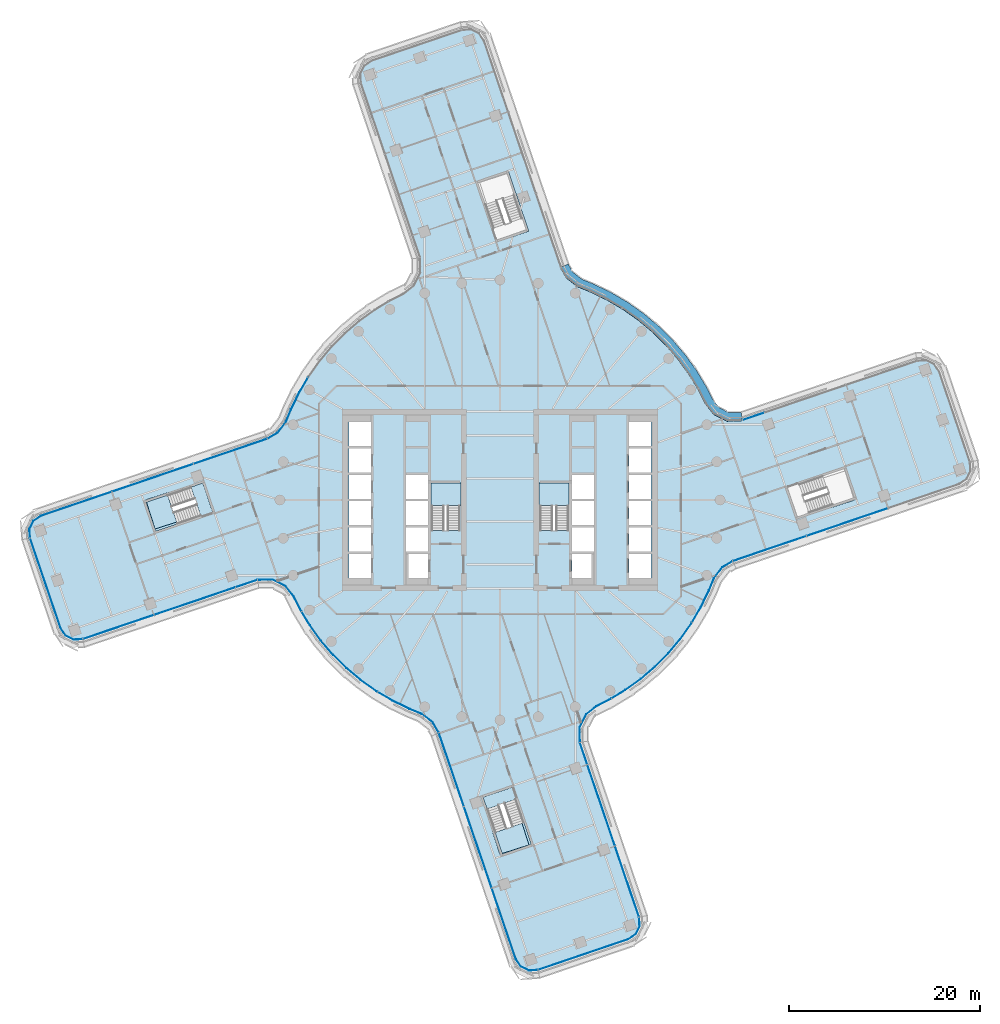
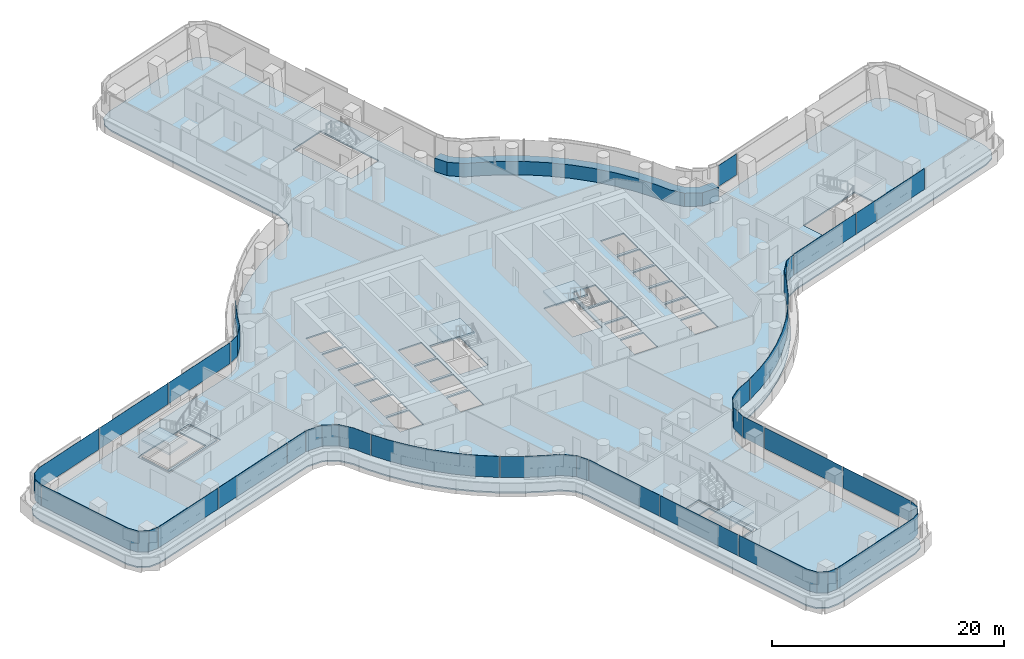
# One storey, part 15 of 29: 24 plates, 7 slabs, 1 member, 16 elements without a shape of their own.
"""IFC4 building model written with IfcOpenShell, lengths in metres."""

from ifc_helpers import new_model, si_unit, direction, frame, origin, place, context, subcontext, project, spatial, polyline, outline, extrude, material, layer, layer_set, type_object, element, aggregate, save


model = new_model("IFC4")

# Units and contexts
model_context = context("Model", 3, precision=1e-05, world=origin(), true_north=direction((0.0, 1.0)))
body_context = subcontext(model_context, "Body", "Model", "MODEL_VIEW")
ifc_project = project(units=[si_unit("LENGTHUNIT", "METRE"), si_unit("AREAUNIT", "SQUARE_METRE"), si_unit("VOLUMEUNIT", "CUBIC_METRE"), si_unit("PLANEANGLEUNIT", "RADIAN"), si_unit("MASSUNIT", "GRAM", prefix="KILO")], contexts=[model_context])

# Site, building, storey
site_placement = place(None, origin())
site = spatial("IfcSite", under=ifc_project, at=site_placement, CompositionType="ELEMENT")
building_placement = place(site_placement, origin())
building = spatial("IfcBuilding", under=site, at=building_placement, Name="Tamarind Cross Interchange Tower", CompositionType="ELEMENT")
storey_placement = place(building_placement, frame((0.0, 0.0, 102.25)))
storey = spatial("IfcBuildingStorey", under=building, at=storey_placement, Name="L24", CompositionType="ELEMENT", Elevation=102.25)

# Curtain wall, member
ifc_material_1 = material(Name="Aluminium 6063-T6", Category="aluminium")
ifc_layer_1 = layer(ifc_material_1, 0.159912109375)
ifc_layer_set_1 = layer_set([ifc_layer_1], Name="Aluminium 6063-T6")
curtain_wall_type = type_object("IfcCurtainWallType", Name="Office curtain wall, 9.0 m bays", PredefinedType="NOTDEFINED", material=ifc_layer_set_1)
curtain_wall_1_placement = place(storey_placement, origin())
curtain_wall_1 = element("IfcCurtainWall", 1, at=curtain_wall_1_placement, inside=storey, type_object=curtain_wall_type, Name="CWS-L24-10", PredefinedType="NOTDEFINED")
ifc_material_2 = material(Name="Aluminium and insulated spandrel panel", Category="aluminium")
member_type = type_object("IfcMemberType", Name="Floor-edge blade transom", PredefinedType="USERDEFINED", material=ifc_material_2)
member_placement = place(storey_placement, origin())
member = element("IfcMember", 2, at=member_placement, type_object=member_type, Name="CWT-L24-10", ObjectType="TRANSOM", PredefinedType="USERDEFINED", context=body_context, shape_type="SweptSolid", body=[
    extrude(outline(polyline([(25.35595703125, 8.251220703125), (23.705810546875, 8.227783203125), (22.329345703125, 8.93310546875), (21.454833984375, 10.029541015625), (20.791015625, 11.3671875), (19.78125, 13.045654296875), (18.636474609375, 14.634521484375), (17.3642578125, 16.12353515625), (15.973388671875, 17.50244140625), (14.4736328125, 18.76171875), (12.874755859375, 19.892822265625), (11.188232421875, 20.88818359375), (9.422119140625, 21.741943359375), (8.116943359375, 22.277099609375), (6.938720703125, 23.184326171875), (6.2998046875, 24.28466796875), (7.123046875, 24.659423828125), (7.6279296875, 23.789306640625), (8.5703125, 23.06396484375), (9.7890625, 22.564208984375), (11.613525390625, 21.68212890625), (13.3642578125, 20.64892578125), (15.023681640625, 19.474853515625), (16.580810546875, 18.167724609375), (18.0244140625, 16.736572265625), (19.344970703125, 15.19091796875), (20.533203125, 13.54150390625), (21.5810546875, 11.800048828125), (22.21826171875, 10.515625), (22.912109375, 9.645751953125), (23.9169921875, 9.130859375), (25.201416015625, 9.149169921875), (25.35595703125, 8.251220703125)])), origin(), (0.0, 0.0, 1.0), 1.39990234375),
])
aggregate(curtain_wall_1, [member])

# Slabs
ifc_material_3 = material(Name="Concrete C35", Category="concrete")
ifc_layer_2 = layer(ifc_material_3, 0.139892578125)
ifc_layer_set_2 = layer_set([ifc_layer_2], Name="Concrete C35")
slab_type_1 = type_object("IfcSlabType", Name="Composite slab 140 Concrete C35", PredefinedType="FLOOR", material=ifc_layer_set_2)
slab_1_placement = place(storey_placement, frame((0.0, 0.0, -0.139892578125)))
element("IfcSlab", 3, at=slab_1_placement, inside=storey, type_object=slab_type_1, Name="Floor slab L24", PredefinedType="FLOOR", context=body_context, shape_type="SweptSolid", body=[
    extrude(outline(polyline([(-23.385986328125, 7.16845703125), (-24.40966796875, 6.57421875), (-48.0615234375, -1.480712890625), (-48.921875, -2.056640625), (-49.37890625, -2.985595703125), (-49.31005859375, -4.0185546875), (-46.08642578125, -13.484619140625), (-45.51025390625, -14.344970703125), (-44.581298828125, -14.802001953125), (-43.54833984375, -14.733154296875), (-25.304443359375, -8.550537109375), (-23.776123046875, -8.52880859375), (-22.523681640625, -9.170654296875), (-21.709228515625, -10.19140625), (-21.054443359375, -11.511474609375), (-20.031982421875, -13.2109375), (-18.87255859375, -14.820068359375), (-17.584228515625, -16.327880859375), (-16.17578125, -17.72412109375), (-14.656982421875, -18.99951171875), (-13.0380859375, -20.14501953125), (-11.329833984375, -21.15283203125), (-9.54443359375, -22.01611328125), (-8.26806640625, -22.539306640625), (-7.16845703125, -23.385986328125), (-6.57421875, -24.40966796875), (1.480712890625, -48.0615234375), (2.056640625, -48.921875), (2.985595703125, -49.37890625), (4.0185546875, -49.31005859375), (13.484619140625, -46.08642578125), (14.344970703125, -45.51025390625), (14.802001953125, -44.581298828125), (14.733154296875, -43.54833984375), (8.550537109375, -25.304443359375), (8.52880859375, -23.776123046875), (9.170654296875, -22.523681640625), (10.19140625, -21.709228515625), (11.511474609375, -21.054443359375), (13.2109375, -20.031982421875), (14.820068359375, -18.87255859375), (16.327880859375, -17.584228515625), (17.72412109375, -16.17578125), (18.99951171875, -14.656982421875), (20.14501953125, -13.0380859375), (21.15283203125, -11.329833984375), (22.01611328125, -9.54443359375), (22.539306640625, -8.26806640625), (23.385986328125, -7.16845703125), (24.40966796875, -6.57421875), (48.0615234375, 1.480712890625), (48.921875, 2.056640625), (49.37890625, 2.985595703125), (49.31005859375, 4.0185546875), (46.08642578125, 13.484619140625), (45.51025390625, 14.344970703125), (44.581298828125, 14.802001953125), (43.54833984375, 14.733154296875), (25.304443359375, 8.550537109375), (23.776123046875, 8.52880859375), (22.523681640625, 9.170654296875), (21.709228515625, 10.19140625), (21.054443359375, 11.511474609375), (20.031982421875, 13.2109375), (18.87255859375, 14.820068359375), (17.584228515625, 16.327880859375), (16.17578125, 17.72412109375), (14.656982421875, 18.99951171875), (13.0380859375, 20.14501953125), (11.329833984375, 21.15283203125), (9.54443359375, 22.01611328125), (8.26806640625, 22.539306640625), (7.16845703125, 23.385986328125), (6.57421875, 24.40966796875), (-1.480712890625, 48.0615234375), (-2.056640625, 48.921875), (-2.985595703125, 49.37890625), (-4.0185546875, 49.31005859375), (-13.484619140625, 46.08642578125), (-14.344970703125, 45.51025390625), (-14.802001953125, 44.581298828125), (-14.733154296875, 43.54833984375), (-8.550537109375, 25.304443359375), (-8.52880859375, 23.776123046875), (-9.170654296875, 22.523681640625), (-10.19140625, 21.709228515625), (-11.511474609375, 21.054443359375), (-13.2109375, 20.031982421875), (-14.820068359375, 18.87255859375), (-16.327880859375, 17.584228515625), (-17.72412109375, 16.17578125), (-18.99951171875, 14.656982421875), (-20.14501953125, 13.0380859375), (-21.15283203125, 11.329833984375), (-22.01611328125, 9.54443359375), (-22.539306640625, 8.26806640625), (-23.385986328125, 7.16845703125)]), holes=[polyline([(-13.5, -8.125), (-15.800048828125, -8.125), (-15.800048828125, -5.625), (-13.5, -5.625), (-13.5, -8.125)]), polyline([(-13.5, -5.375), (-15.800048828125, -5.375), (-15.800048828125, -2.875), (-13.5, -2.875), (-13.5, -5.375)]), polyline([(-7.5, -5.375), (-9.800048828125, -5.375), (-9.800048828125, -2.875), (-7.5, -2.875), (-7.5, -5.375)]), polyline([(-29.7705078125, -1.378662109375), (-36.11279296875, -3.538330078125), (-36.17724609375, -3.34912109375), (-37.208740234375, -0.320068359375), (-37.273193359375, -0.130615234375), (-37.00341796875, -0.038818359375), (-37.021484375, 0.018310546875), (-33.888916015625, 1.02197265625), (-30.930908203125, 2.029296875), (-30.866455078125, 1.83984375), (-29.8349609375, -1.189208984375), (-29.7705078125, -1.378662109375)]), polyline([(-13.5, -2.625), (-15.800048828125, -2.625), (-15.800048828125, -0.125), (-13.5, -0.125), (-13.5, -2.625)]), polyline([(-7.5, -2.625), (-9.800048828125, -2.625), (-9.800048828125, -0.125), (-7.5, -0.125), (-7.5, -2.625)]), polyline([(-13.5, 0.125), (-15.800048828125, 0.125), (-15.800048828125, 2.625), (-13.5, 2.625), (-13.5, 0.125)]), polyline([(-7.5, 0.125), (-9.800048828125, 0.125), (-9.800048828125, 2.625), (-7.5, 2.625), (-7.5, 0.125)]), polyline([(-13.5, 2.875), (-15.800048828125, 2.875), (-15.800048828125, 5.375), (-13.5, 5.375), (-13.5, 2.875)]), polyline([(-15.800048828125, 5.625), (-15.800048828125, 8.125), (-13.5, 8.125), (-13.5, 5.625), (-15.800048828125, 5.625)]), polyline([(-2.029296875, -30.930908203125), (-1.83984375, -30.866455078125), (1.189208984375, -29.8349609375), (1.378662109375, -29.7705078125), (3.538330078125, -36.11279296875), (3.34912109375, -36.17724609375), (0.320068359375, -37.208740234375), (0.130615234375, -37.273193359375), (0.038818359375, -37.00341796875), (-0.018310546875, -37.021484375), (-1.02197265625, -33.888916015625), (-2.029296875, -30.930908203125)]), polyline([(-9.800048828125, -8.125), (-9.800048828125, -5.625), (-7.5, -5.625), (-7.5, -8.125), (-9.800048828125, -8.125)]), polyline([(9.800048828125, -2.875), (9.800048828125, -5.375), (7.5, -5.375), (7.5, -2.875), (9.800048828125, -2.875)]), polyline([(-4.199951171875, 1.800048828125), (-4.199951171875, -3.18798828125), (-7.14990234375, -3.18798828125), (-7.14990234375, 1.800048828125), (-4.199951171875, 1.800048828125)]), polyline([(7.14990234375, 1.800048828125), (7.14990234375, -3.18798828125), (4.199951171875, -3.18798828125), (4.199951171875, 1.800048828125), (7.14990234375, 1.800048828125)]), polyline([(-2.5712890625, 33.27294921875), (-2.382080078125, 33.33740234375), (0.647216796875, 34.368896484375), (0.83642578125, 34.433349609375), (0.9287109375, 34.1630859375), (0.93359375, 34.16455078125), (1.02197265625, 33.888916015625), (2.996337890625, 28.091064453125), (2.806884765625, 28.026611328125), (-0.22216796875, 26.9951171875), (-0.411376953125, 26.9306640625), (-2.5712890625, 33.27294921875)]), polyline([(7.5, -5.625), (9.800048828125, -5.625), (9.800048828125, -8.125), (7.5, -8.125), (7.5, -5.625)]), polyline([(15.800048828125, -5.625), (15.800048828125, -8.125), (13.5, -8.125), (13.5, -5.625), (15.800048828125, -5.625)]), polyline([(15.800048828125, -2.875), (15.800048828125, -5.375), (13.5, -5.375), (13.5, -2.875), (15.800048828125, -2.875)]), polyline([(7.5, -0.125), (9.800048828125, -0.125), (9.800048828125, -2.625), (7.5, -2.625), (7.5, -0.125)]), polyline([(13.5, -0.125), (15.800048828125, -0.125), (15.800048828125, -2.625), (13.5, -2.625), (13.5, -0.125)]), polyline([(30.930908203125, -2.029296875), (30.866455078125, -1.83984375), (29.8349609375, 1.189208984375), (29.7705078125, 1.378662109375), (36.11279296875, 3.538330078125), (36.17724609375, 3.34912109375), (37.208740234375, 0.320068359375), (37.273193359375, 0.130615234375), (37.00341796875, 0.038818359375), (37.021484375, -0.018310546875), (33.888916015625, -1.02197265625), (30.930908203125, -2.029296875)]), polyline([(7.5, 2.625), (9.800048828125, 2.625), (9.800048828125, 0.125), (7.5, 0.125), (7.5, 2.625)]), polyline([(15.800048828125, 2.625), (15.800048828125, 0.125), (13.5, 0.125), (13.5, 2.625), (15.800048828125, 2.625)]), polyline([(15.800048828125, 5.375), (15.800048828125, 2.875), (13.5, 2.875), (13.5, 5.375), (15.800048828125, 5.375)]), polyline([(15.800048828125, 8.125), (15.800048828125, 5.625), (13.5, 5.625), (13.5, 8.125), (15.800048828125, 8.125)])]), origin(), (0.0, 0.0, 1.0), 0.139892578125),
])
slab_2_placement = place(storey_placement, frame((0.0, 0.0, -0.139892578125)))
element("IfcSlab", 4, at=slab_2_placement, inside=storey, type_object=slab_type_1, Name="Floor slab L24", PredefinedType="FLOOR", context=body_context, shape_type="SweptSolid", body=[
    extrude(outline(polyline([(-30.024169921875, -1.253662109375), (-31.055908203125, 1.775390625), (-32.2197265625, 1.37890625), (-32.2978515625, 1.3525390625), (-31.321044921875, -1.515625), (-36.04541015625, -3.029052734375), (-36.9423828125, -0.229248046875), (-37.01953125, -0.255615234375), (-35.98779296875, -3.28466796875), (-30.024169921875, -1.253662109375)])), origin(), (0.0, 0.0, 1.0), 0.139892578125),
])
slab_3_placement = place(storey_placement, frame((0.0, 0.0, -0.139892578125)))
element("IfcSlab", 5, at=slab_3_placement, inside=storey, type_object=slab_type_1, Name="Floor slab L24", PredefinedType="FLOOR", context=body_context, shape_type="SweptSolid", body=[
    extrude(outline(polyline([(0.255615234375, -37.01953125), (3.28466796875, -35.98779296875), (1.253662109375, -30.024169921875), (-1.775390625, -31.055908203125), (-1.37890625, -32.2197265625), (-1.3525390625, -32.2978515625), (1.515625, -31.321044921875), (3.029052734375, -36.04541015625), (0.229248046875, -36.9423828125), (0.255615234375, -37.01953125)])), origin(), (0.0, 0.0, 1.0), 0.139892578125),
])

# Stair, slab
ifc_material_4 = material(Name="Exit stair")
stair_type = type_object("IfcStairType", Name="Exit stair", PredefinedType="HALF_TURN_STAIR", material=ifc_material_4)
stair_1_placement = place(storey_placement, origin())
stair_1 = element("IfcStair", 6, at=stair_1_placement, inside=storey, type_object=stair_type, Name="L24 exit stair ST1", PredefinedType="HALF_TURN_STAIR")
ifc_material_5 = material(Name="Concrete C40", Category="concrete")
ifc_layer_3 = layer(ifc_material_5, 0.199951171875)
ifc_layer_set_3 = layer_set([ifc_layer_3], Name="Concrete C40")
slab_type_2 = type_object("IfcSlabType", Name="Stair landing", PredefinedType="LANDING", material=ifc_layer_set_3)
slab_4_placement = place(storey_placement, frame((0.0, 0.0, 1.675048828125)))
slab_4 = element("IfcSlab", 7, at=slab_4_placement, type_object=slab_type_2, Name="ST1 landing 1", PredefinedType="LANDING", context=body_context, shape_type="SweptSolid", body=[
    extrude(outline(polyline([(-4.10009765625, -0.60009765625), (-4.10009765625, 1.800048828125), (-7.199951171875, 1.800048828125), (-7.199951171875, -0.60009765625), (-4.10009765625, -0.60009765625)])), origin(), (0.0, 0.0, 1.0), 0.199951171875),
])
aggregate(stair_1, [slab_4])

stair_2_placement = place(storey_placement, origin())
stair_2 = element("IfcStair", 8, at=stair_2_placement, inside=storey, type_object=stair_type, Name="L24 exit stair ST2", PredefinedType="HALF_TURN_STAIR")
slab_5_placement = place(storey_placement, frame((0.0, 0.0, 1.675048828125)))
slab_5 = element("IfcSlab", 9, at=slab_5_placement, type_object=slab_type_2, Name="ST2 landing 1", PredefinedType="LANDING", context=body_context, shape_type="SweptSolid", body=[
    extrude(outline(polyline([(7.199951171875, -0.60009765625), (7.199951171875, 1.800048828125), (4.10009765625, 1.800048828125), (4.10009765625, -0.60009765625), (7.199951171875, -0.60009765625)])), origin(), (0.0, 0.0, 1.0), 0.199951171875),
])
aggregate(stair_2, [slab_5])

stair_3_placement = place(storey_placement, origin())
stair_3 = element("IfcStair", 10, at=stair_3_placement, inside=storey, type_object=stair_type, Name="L24 exit stair ST5", PredefinedType="HALF_TURN_STAIR")
slab_6_placement = place(storey_placement, frame((0.0, 0.0, 1.675048828125)))
slab_6 = element("IfcSlab", 11, at=slab_6_placement, type_object=slab_type_2, Name="ST5 landing 1", PredefinedType="LANDING", context=body_context, shape_type="SweptSolid", body=[
    extrude(outline(polyline([(-34.736328125, 0.52197265625), (-37.01953125, -0.25537109375), (-35.98779296875, -3.28466796875), (-33.70458984375, -2.507080078125), (-34.736328125, 0.52197265625)])), origin(), (0.0, 0.0, 1.0), 0.199951171875),
])
aggregate(stair_3, [slab_6])

stair_4_placement = place(storey_placement, origin())
stair_4 = element("IfcStair", 12, at=stair_4_placement, inside=storey, type_object=stair_type, Name="L24 exit stair ST6", PredefinedType="HALF_TURN_STAIR")
slab_7_placement = place(storey_placement, frame((0.0, 0.0, 1.675048828125)))
slab_7 = element("IfcSlab", 13, at=slab_7_placement, type_object=slab_type_2, Name="ST6 landing 1", PredefinedType="LANDING", context=body_context, shape_type="SweptSolid", body=[
    extrude(outline(polyline([(-0.52197265625, -34.736328125), (0.25537109375, -37.01953125), (3.28466796875, -35.98779296875), (2.507080078125, -33.70458984375), (-0.52197265625, -34.736328125)])), origin(), (0.0, 0.0, 1.0), 0.199951171875),
])
aggregate(stair_4, [slab_7])

# Curtain wall, plate
curtain_wall_2_placement = place(storey_placement, origin())
curtain_wall_2 = element("IfcCurtainWall", 14, at=curtain_wall_2_placement, inside=storey, type_object=curtain_wall_type, Name="CWS-L24-00", PredefinedType="NOTDEFINED")
ifc_material_6 = material(Name="Laminated low-e glass 8+1.52+8", Category="glass")
ifc_layer_4 = layer(ifc_material_6, 0.028076171875)
ifc_layer_set_4 = layer_set([ifc_layer_4], Name="Laminated low-e glass 8+1.52+8")
plate_type = type_object("IfcPlateType", Name="Vision panel CW1", PredefinedType="CURTAIN_PANEL", material=ifc_layer_set_4)
plate_1_placement = place(storey_placement, frame((0.0, 0.0, 1.39990234375)))
plate_1 = element("IfcPlate", 15, at=plate_1_placement, type_object=plate_type, Name="CWP-L24-00-00", PredefinedType="CURTAIN_PANEL", context=body_context, shape_type="SweptSolid", body=[
    extrude(outline(polyline([(-49.08935546875, -4.0029296875), (-45.892822265625, -13.388916015625), (-45.364501953125, -14.17822265625), (-44.538330078125, -14.58447265625), (-43.61865234375, -14.5234375), (-43.61669921875, -14.55126953125), (-44.5439453125, -14.613037109375), (-45.383544921875, -14.199951171875), (-45.918212890625, -13.401611328125), (-49.11572265625, -4.011962890625), (-49.08935546875, -4.0029296875)])), origin(), (0.0, 0.0, 1.0), 2.210205078125),
])
aggregate(curtain_wall_2, [plate_1])

# Curtain wall, plates
curtain_wall_3_placement = place(storey_placement, origin())
curtain_wall_3 = element("IfcCurtainWall", 16, at=curtain_wall_3_placement, inside=storey, type_object=curtain_wall_type, Name="CWS-L24-01", PredefinedType="NOTDEFINED")
plate_2_placement = place(storey_placement, frame((0.0, 0.0, 1.39990234375)))
plate_2 = element("IfcPlate", 17, at=plate_2_placement, type_object=plate_type, Name="CWP-L24-01-00", PredefinedType="CURTAIN_PANEL", context=body_context, shape_type="SweptSolid", body=[
    extrude(outline(polyline([(-43.56396484375, -14.512451171875), (-36.186279296875, -12.01220703125), (-36.17724609375, -12.038818359375), (-43.554931640625, -14.5390625), (-43.56396484375, -14.512451171875)])), origin(), (0.0, 0.0, 1.0), 2.210205078125),
])
plate_3_placement = place(storey_placement, frame((0.0, 0.0, 1.39990234375)))
plate_3 = element("IfcPlate", 18, at=plate_3_placement, type_object=plate_type, Name="CWP-L24-01-01", PredefinedType="CURTAIN_PANEL", context=body_context, shape_type="SweptSolid", body=[
    extrude(outline(polyline([(-36.12939453125, -11.992919921875), (-27.66015625, -9.122802734375), (-27.651123046875, -9.1494140625), (-36.12060546875, -12.01953125), (-36.12939453125, -11.992919921875)])), origin(), (0.0, 0.0, 1.0), 2.210205078125),
])
plate_4_placement = place(storey_placement, frame((0.0, 0.0, 1.39990234375)))
plate_4 = element("IfcPlate", 19, at=plate_4_placement, type_object=plate_type, Name="CWP-L24-01-02", PredefinedType="CURTAIN_PANEL", context=body_context, shape_type="SweptSolid", body=[
    extrude(outline(polyline([(-27.603271484375, -9.103515625), (-25.37158203125, -8.347412109375), (-25.36279296875, -8.373779296875), (-27.59423828125, -9.130126953125), (-27.603271484375, -9.103515625)])), origin(), (0.0, 0.0, 1.0), 2.210205078125),
])
aggregate(curtain_wall_3, [plate_2, plate_3, plate_4])

curtain_wall_4_placement = place(storey_placement, origin())
curtain_wall_4 = element("IfcCurtainWall", 20, at=curtain_wall_4_placement, inside=storey, type_object=curtain_wall_type, Name="CWS-L24-02", PredefinedType="NOTDEFINED")
plate_5_placement = place(storey_placement, frame((0.0, 0.0, 1.39990234375)))
plate_5 = element("IfcPlate", 21, at=plate_5_placement, type_object=plate_type, Name="CWP-L24-02-00", PredefinedType="CURTAIN_PANEL", context=body_context, shape_type="SweptSolid", body=[
    extrude(outline(polyline([(-25.30908203125, -8.33642578125), (-23.72607421875, -8.314208984375), (-22.38525390625, -9.001220703125), (-21.52783203125, -10.075927734375), (-20.86669921875, -11.40869140625), (-20.7373046875, -11.623291015625), (-20.761474609375, -11.6376953125), (-20.89111328125, -11.422119140625), (-21.551513671875, -10.091064453125), (-22.4033203125, -9.0234375), (-23.732421875, -8.34228515625), (-25.30859375, -8.364501953125), (-25.30908203125, -8.33642578125)])), origin(), (0.0, 0.0, 1.0), 2.210205078125),
])
plate_6_placement = place(storey_placement, frame((0.0, 0.0, 1.39990234375)))
plate_6 = element("IfcPlate", 22, at=plate_6_placement, type_object=plate_type, Name="CWP-L24-02-01", PredefinedType="CURTAIN_PANEL", context=body_context, shape_type="SweptSolid", body=[
    extrude(outline(polyline([(-20.70654296875, -11.6748046875), (-19.85302734375, -13.093017578125), (-18.7041015625, -14.687744140625), (-17.42724609375, -16.18212890625), (-16.031494140625, -17.56591796875), (-14.526123046875, -18.829833984375), (-12.921630859375, -19.965087890625), (-12.806640625, -20.032958984375), (-12.82080078125, -20.05712890625), (-12.936767578125, -19.988525390625), (-14.543212890625, -18.85205078125), (-16.05029296875, -17.586669921875), (-17.44775390625, -16.201171875), (-18.72607421875, -14.705078125), (-19.87646484375, -13.1083984375), (-20.73046875, -11.689208984375), (-20.70654296875, -11.6748046875)])), origin(), (0.0, 0.0, 1.0), 2.210205078125),
])
plate_7_placement = place(storey_placement, frame((0.0, 0.0, 1.39990234375)))
plate_7 = element("IfcPlate", 23, at=plate_7_placement, type_object=plate_type, Name="CWP-L24-02-02", PredefinedType="CURTAIN_PANEL", context=body_context, shape_type="SweptSolid", body=[
    extrude(outline(polyline([(-12.7548828125, -20.0634765625), (-11.228759765625, -20.9638671875), (-9.45703125, -21.820556640625), (-8.160400390625, -22.352294921875), (-7.004638671875, -23.2421875), (-6.394287109375, -24.29345703125), (-6.41845703125, -24.307373046875), (-7.02587890625, -23.260986328125), (-8.17431640625, -22.376708984375), (-9.468505859375, -21.84619140625), (-11.241943359375, -20.98876953125), (-12.76904296875, -20.087646484375), (-12.7548828125, -20.0634765625)])), origin(), (0.0, 0.0, 1.0), 2.210205078125),
])
aggregate(curtain_wall_4, [plate_5, plate_6, plate_7])

curtain_wall_5_placement = place(storey_placement, origin())
curtain_wall_5 = element("IfcCurtainWall", 24, at=curtain_wall_5_placement, inside=storey, type_object=curtain_wall_type, Name="CWS-L24-03", PredefinedType="NOTDEFINED")
plate_8_placement = place(storey_placement, frame((0.0, 0.0, 1.39990234375)))
plate_8 = element("IfcPlate", 25, at=plate_8_placement, type_object=plate_type, Name="CWP-L24-03-00", PredefinedType="CURTAIN_PANEL", context=body_context, shape_type="SweptSolid", body=[
    extrude(outline(polyline([(-6.368408203125, -24.350341796875), (-3.764892578125, -31.995361328125), (-3.791259765625, -32.00439453125), (-6.394775390625, -24.359130859375), (-6.368408203125, -24.350341796875)])), origin(), (0.0, 0.0, 1.0), 2.210205078125),
])
plate_9_placement = place(storey_placement, frame((0.0, 0.0, 1.39990234375)))
plate_9 = element("IfcPlate", 26, at=plate_9_placement, type_object=plate_type, Name="CWP-L24-03-01", PredefinedType="CURTAIN_PANEL", context=body_context, shape_type="SweptSolid", body=[
    extrude(outline(polyline([(-3.745361328125, -32.05224609375), (-0.8642578125, -40.5126953125), (-0.890625, -40.521728515625), (-3.77197265625, -32.061279296875), (-3.745361328125, -32.05224609375)])), origin(), (0.0, 0.0, 1.0), 2.210205078125),
])
plate_10_placement = place(storey_placement, frame((0.0, 0.0, 1.39990234375)))
plate_10 = element("IfcPlate", 27, at=plate_10_placement, type_object=plate_type, Name="CWP-L24-03-02", PredefinedType="CURTAIN_PANEL", context=body_context, shape_type="SweptSolid", body=[
    extrude(outline(polyline([(-0.8447265625, -40.5693359375), (1.674072265625, -47.9658203125), (2.202392578125, -48.755126953125), (3.028564453125, -49.161376953125), (3.947998046875, -49.100341796875), (3.949951171875, -49.128173828125), (3.02294921875, -49.18994140625), (2.183349609375, -48.77685546875), (1.648681640625, -47.978515625), (-0.871337890625, -40.578369140625), (-0.8447265625, -40.5693359375)])), origin(), (0.0, 0.0, 1.0), 2.210205078125),
])
aggregate(curtain_wall_5, [plate_8, plate_9, plate_10])

# Curtain wall, plate
curtain_wall_6_placement = place(storey_placement, origin())
curtain_wall_6 = element("IfcCurtainWall", 28, at=curtain_wall_6_placement, inside=storey, type_object=curtain_wall_type, Name="CWS-L24-04", PredefinedType="NOTDEFINED")
plate_11_placement = place(storey_placement, frame((0.0, 0.0, 1.39990234375)))
plate_11 = element("IfcPlate", 29, at=plate_11_placement, type_object=plate_type, Name="CWP-L24-04-00", PredefinedType="CURTAIN_PANEL", context=body_context, shape_type="SweptSolid", body=[
    extrude(outline(polyline([(4.0029296875, -49.08935546875), (13.388916015625, -45.892822265625), (14.17822265625, -45.364501953125), (14.58447265625, -44.538330078125), (14.5234375, -43.61865234375), (14.55126953125, -43.61669921875), (14.613037109375, -44.5439453125), (14.199951171875, -45.383544921875), (13.401611328125, -45.918212890625), (4.011962890625, -49.11572265625), (4.0029296875, -49.08935546875)])), origin(), (0.0, 0.0, 1.0), 2.210205078125),
])
aggregate(curtain_wall_6, [plate_11])

# Curtain wall, plates
curtain_wall_7_placement = place(storey_placement, origin())
curtain_wall_7 = element("IfcCurtainWall", 30, at=curtain_wall_7_placement, inside=storey, type_object=curtain_wall_type, Name="CWS-L24-05", PredefinedType="NOTDEFINED")
plate_12_placement = place(storey_placement, frame((0.0, 0.0, 1.39990234375)))
plate_12 = element("IfcPlate", 31, at=plate_12_placement, type_object=plate_type, Name="CWP-L24-05-00", PredefinedType="CURTAIN_PANEL", context=body_context, shape_type="SweptSolid", body=[
    extrude(outline(polyline([(14.512451171875, -43.56396484375), (12.01220703125, -36.186279296875), (12.038818359375, -36.17724609375), (14.5390625, -43.554931640625), (14.512451171875, -43.56396484375)])), origin(), (0.0, 0.0, 1.0), 2.210205078125),
])
plate_13_placement = place(storey_placement, frame((0.0, 0.0, 1.39990234375)))
plate_13 = element("IfcPlate", 32, at=plate_13_placement, type_object=plate_type, Name="CWP-L24-05-01", PredefinedType="CURTAIN_PANEL", context=body_context, shape_type="SweptSolid", body=[
    extrude(outline(polyline([(11.992919921875, -36.12939453125), (9.122802734375, -27.66015625), (9.1494140625, -27.651123046875), (12.01953125, -36.12060546875), (11.992919921875, -36.12939453125)])), origin(), (0.0, 0.0, 1.0), 2.210205078125),
])
plate_14_placement = place(storey_placement, frame((0.0, 0.0, 1.39990234375)))
plate_14 = element("IfcPlate", 33, at=plate_14_placement, type_object=plate_type, Name="CWP-L24-05-02", PredefinedType="CURTAIN_PANEL", context=body_context, shape_type="SweptSolid", body=[
    extrude(outline(polyline([(9.103515625, -27.603271484375), (8.347412109375, -25.37158203125), (8.373779296875, -25.36279296875), (9.130126953125, -27.59423828125), (9.103515625, -27.603271484375)])), origin(), (0.0, 0.0, 1.0), 2.210205078125),
])
aggregate(curtain_wall_7, [plate_12, plate_13, plate_14])

curtain_wall_8_placement = place(storey_placement, origin())
curtain_wall_8 = element("IfcCurtainWall", 34, at=curtain_wall_8_placement, inside=storey, type_object=curtain_wall_type, Name="CWS-L24-06", PredefinedType="NOTDEFINED")
plate_15_placement = place(storey_placement, frame((0.0, 0.0, 1.39990234375)))
plate_15 = element("IfcPlate", 35, at=plate_15_placement, type_object=plate_type, Name="CWP-L24-06-00", PredefinedType="CURTAIN_PANEL", context=body_context, shape_type="SweptSolid", body=[
    extrude(outline(polyline([(8.33642578125, -25.30908203125), (8.314208984375, -23.72607421875), (9.001220703125, -22.38525390625), (10.075927734375, -21.52783203125), (11.40869140625, -20.86669921875), (11.623291015625, -20.7373046875), (11.6376953125, -20.761474609375), (11.422119140625, -20.89111328125), (10.091064453125, -21.551513671875), (9.0234375, -22.4033203125), (8.34228515625, -23.732421875), (8.364501953125, -25.30859375), (8.33642578125, -25.30908203125)])), origin(), (0.0, 0.0, 1.0), 2.210205078125),
])
plate_16_placement = place(storey_placement, frame((0.0, 0.0, 1.39990234375)))
plate_16 = element("IfcPlate", 36, at=plate_16_placement, type_object=plate_type, Name="CWP-L24-06-01", PredefinedType="CURTAIN_PANEL", context=body_context, shape_type="SweptSolid", body=[
    extrude(outline(polyline([(11.6748046875, -20.70654296875), (13.093017578125, -19.85302734375), (14.687744140625, -18.7041015625), (16.18212890625, -17.42724609375), (17.56591796875, -16.031494140625), (18.829833984375, -14.526123046875), (19.965087890625, -12.921630859375), (20.032958984375, -12.806640625), (20.05712890625, -12.82080078125), (19.988525390625, -12.936767578125), (18.85205078125, -14.543212890625), (17.586669921875, -16.05029296875), (16.201171875, -17.44775390625), (14.705078125, -18.72607421875), (13.1083984375, -19.87646484375), (11.689208984375, -20.73046875), (11.6748046875, -20.70654296875)])), origin(), (0.0, 0.0, 1.0), 2.210205078125),
])
plate_17_placement = place(storey_placement, frame((0.0, 0.0, 1.39990234375)))
plate_17 = element("IfcPlate", 37, at=plate_17_placement, type_object=plate_type, Name="CWP-L24-06-02", PredefinedType="CURTAIN_PANEL", context=body_context, shape_type="SweptSolid", body=[
    extrude(outline(polyline([(20.0634765625, -12.7548828125), (20.9638671875, -11.228759765625), (21.820556640625, -9.45703125), (22.352294921875, -8.160400390625), (23.2421875, -7.004638671875), (24.29345703125, -6.394287109375), (24.307373046875, -6.41845703125), (23.260986328125, -7.02587890625), (22.376708984375, -8.17431640625), (21.84619140625, -9.468505859375), (20.98876953125, -11.241943359375), (20.087646484375, -12.76904296875), (20.0634765625, -12.7548828125)])), origin(), (0.0, 0.0, 1.0), 2.210205078125),
])
aggregate(curtain_wall_8, [plate_15, plate_16, plate_17])

curtain_wall_9_placement = place(storey_placement, origin())
curtain_wall_9 = element("IfcCurtainWall", 38, at=curtain_wall_9_placement, inside=storey, type_object=curtain_wall_type, Name="CWS-L24-07", PredefinedType="NOTDEFINED")
plate_18_placement = place(storey_placement, frame((0.0, 0.0, 1.39990234375)))
plate_18 = element("IfcPlate", 39, at=plate_18_placement, type_object=plate_type, Name="CWP-L24-07-00", PredefinedType="CURTAIN_PANEL", context=body_context, shape_type="SweptSolid", body=[
    extrude(outline(polyline([(24.350341796875, -6.368408203125), (31.995361328125, -3.764892578125), (32.00439453125, -3.791259765625), (24.359130859375, -6.394775390625), (24.350341796875, -6.368408203125)])), origin(), (0.0, 0.0, 1.0), 2.210205078125),
])
plate_19_placement = place(storey_placement, frame((0.0, 0.0, 1.39990234375)))
plate_19 = element("IfcPlate", 40, at=plate_19_placement, type_object=plate_type, Name="CWP-L24-07-01", PredefinedType="CURTAIN_PANEL", context=body_context, shape_type="SweptSolid", body=[
    extrude(outline(polyline([(32.05224609375, -3.745361328125), (40.5126953125, -0.8642578125), (40.521728515625, -0.890625), (32.061279296875, -3.77197265625), (32.05224609375, -3.745361328125)])), origin(), (0.0, 0.0, 1.0), 2.210205078125),
])
aggregate(curtain_wall_9, [plate_18, plate_19])

# Curtain wall, plate
curtain_wall_10_placement = place(storey_placement, origin())
curtain_wall_10 = element("IfcCurtainWall", 41, at=curtain_wall_10_placement, inside=storey, type_object=curtain_wall_type, Name="CWS-L24-09", PredefinedType="NOTDEFINED")
plate_20_placement = place(storey_placement, frame((0.0, 0.0, 1.39990234375)))
plate_20 = element("IfcPlate", 42, at=plate_20_placement, type_object=plate_type, Name="CWP-L24-09-02", PredefinedType="CURTAIN_PANEL", context=body_context, shape_type="SweptSolid", body=[
    extrude(outline(polyline([(27.603271484375, 9.103515625), (25.37158203125, 8.347412109375), (25.36279296875, 8.373779296875), (27.59423828125, 9.130126953125), (27.603271484375, 9.103515625)])), origin(), (0.0, 0.0, 1.0), 2.210205078125),
])
aggregate(curtain_wall_10, [plate_20])

curtain_wall_11_placement = place(storey_placement, origin())
curtain_wall_11 = element("IfcCurtainWall", 43, at=curtain_wall_11_placement, inside=storey, type_object=curtain_wall_type, Name="CWS-L24-14", PredefinedType="NOTDEFINED")
plate_21_placement = place(storey_placement, frame((0.0, 0.0, 1.39990234375)))
plate_21 = element("IfcPlate", 44, at=plate_21_placement, type_object=plate_type, Name="CWP-L24-14-02", PredefinedType="CURTAIN_PANEL", context=body_context, shape_type="SweptSolid", body=[
    extrude(outline(polyline([(-20.0634765625, 12.7548828125), (-20.9638671875, 11.228759765625), (-21.820556640625, 9.45703125), (-22.352294921875, 8.160400390625), (-23.2421875, 7.004638671875), (-24.29345703125, 6.394287109375), (-24.307373046875, 6.41845703125), (-23.260986328125, 7.02587890625), (-22.376708984375, 8.17431640625), (-21.84619140625, 9.468505859375), (-20.98876953125, 11.241943359375), (-20.087646484375, 12.76904296875), (-20.0634765625, 12.7548828125)])), origin(), (0.0, 0.0, 1.0), 2.210205078125),
])
aggregate(curtain_wall_11, [plate_21])

# Curtain wall, plates
curtain_wall_12_placement = place(storey_placement, origin())
curtain_wall_12 = element("IfcCurtainWall", 45, at=curtain_wall_12_placement, inside=storey, type_object=curtain_wall_type, Name="CWS-L24-15", PredefinedType="NOTDEFINED")
plate_22_placement = place(storey_placement, frame((0.0, 0.0, 1.39990234375)))
plate_22 = element("IfcPlate", 46, at=plate_22_placement, type_object=plate_type, Name="CWP-L24-15-00", PredefinedType="CURTAIN_PANEL", context=body_context, shape_type="SweptSolid", body=[
    extrude(outline(polyline([(-24.350341796875, 6.368408203125), (-31.995361328125, 3.764892578125), (-32.00439453125, 3.791259765625), (-24.359130859375, 6.394775390625), (-24.350341796875, 6.368408203125)])), origin(), (0.0, 0.0, 1.0), 2.210205078125),
])
plate_23_placement = place(storey_placement, frame((0.0, 0.0, 1.39990234375)))
plate_23 = element("IfcPlate", 47, at=plate_23_placement, type_object=plate_type, Name="CWP-L24-15-01", PredefinedType="CURTAIN_PANEL", context=body_context, shape_type="SweptSolid", body=[
    extrude(outline(polyline([(-32.05224609375, 3.745361328125), (-40.5126953125, 0.8642578125), (-40.521728515625, 0.890625), (-32.061279296875, 3.77197265625), (-32.05224609375, 3.745361328125)])), origin(), (0.0, 0.0, 1.0), 2.210205078125),
])
plate_24_placement = place(storey_placement, frame((0.0, 0.0, 1.39990234375)))
plate_24 = element("IfcPlate", 48, at=plate_24_placement, type_object=plate_type, Name="CWP-L24-15-02", PredefinedType="CURTAIN_PANEL", context=body_context, shape_type="SweptSolid", body=[
    extrude(outline(polyline([(-40.5693359375, 0.8447265625), (-47.9658203125, -1.674072265625), (-48.755126953125, -2.202392578125), (-49.161376953125, -3.028564453125), (-49.100341796875, -3.947998046875), (-49.128173828125, -3.949951171875), (-49.18994140625, -3.02294921875), (-48.77685546875, -2.183349609375), (-47.978515625, -1.648681640625), (-40.578369140625, 0.871337890625), (-40.5693359375, 0.8447265625)])), origin(), (0.0, 0.0, 1.0), 2.210205078125),
])
aggregate(curtain_wall_12, [plate_22, plate_23, plate_24])

save(model, "model.ifc")
